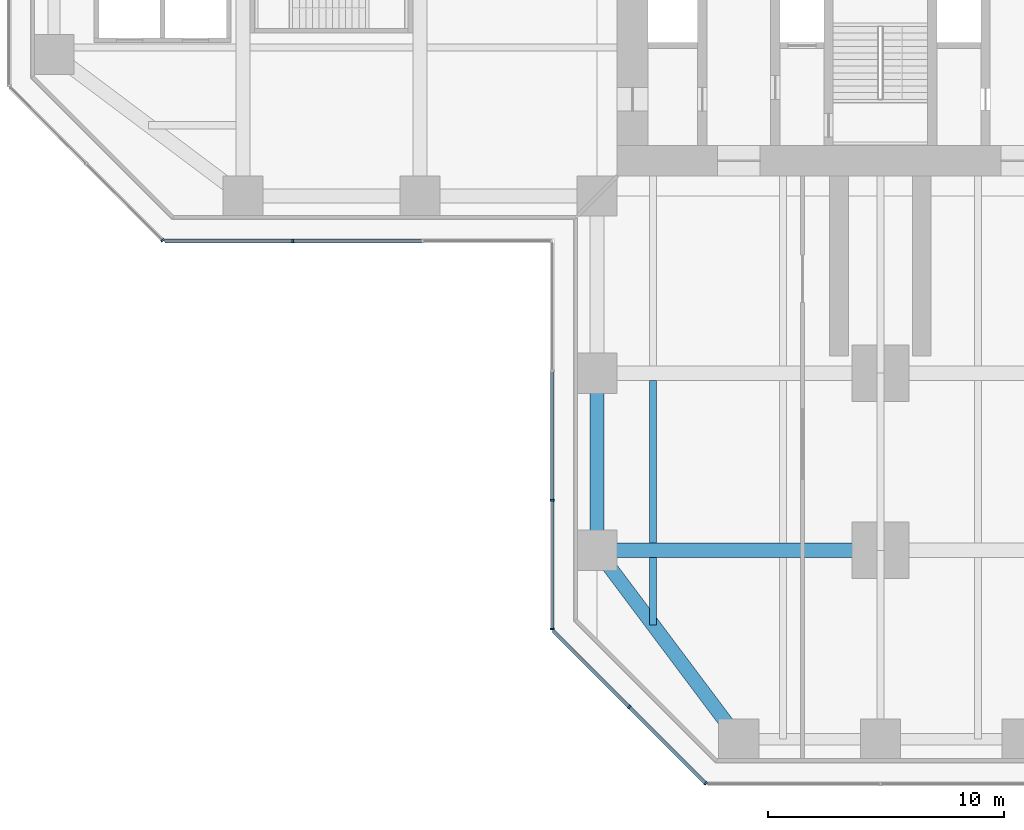
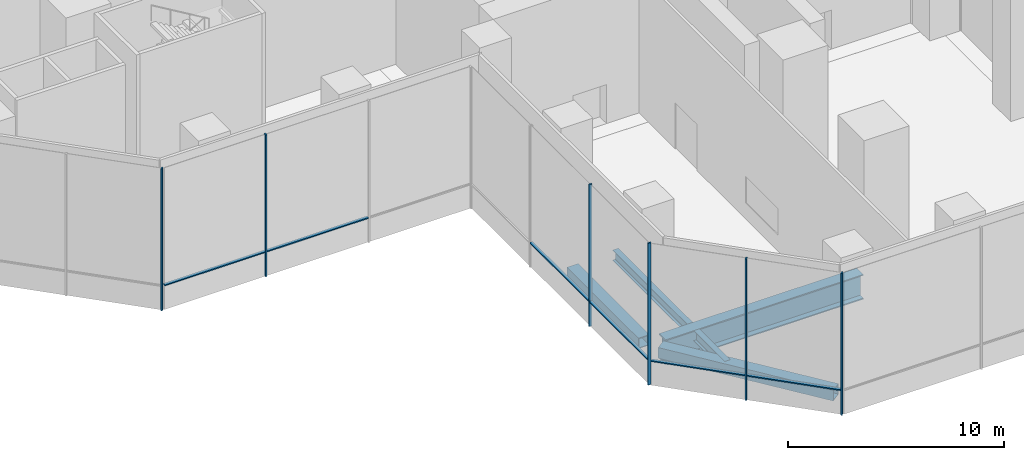
# One storey, part 2 of 25: 12 members, 5 beams, 4 elements without a shape of their own.
"""IFC4 building model written with IfcOpenShell, lengths in metres."""

from ifc_helpers import new_model, si_unit, direction, frame, origin, origin_2d, place, context, subcontext, project, spatial, rectangle, hollow_rectangle, i_section, extrude, material, material_profile, profile_set, type_object, element, aggregate, save


model = new_model("IFC4")

# Units and contexts
model_context = context("Model", 3, precision=1e-05, world=origin(), true_north=direction((0.0, 1.0)))
body_context = subcontext(model_context, "Body", "Model", "MODEL_VIEW")
ifc_project = project(units=[si_unit("LENGTHUNIT", "METRE"), si_unit("AREAUNIT", "SQUARE_METRE"), si_unit("VOLUMEUNIT", "CUBIC_METRE"), si_unit("PLANEANGLEUNIT", "RADIAN"), si_unit("MASSUNIT", "GRAM", prefix="KILO")], contexts=[model_context])

# Site, building, storey
site_placement = place(None, origin())
site = spatial("IfcSite", under=ifc_project, at=site_placement, CompositionType="ELEMENT")
building_placement = place(site_placement, origin())
building = spatial("IfcBuilding", under=site, at=building_placement, Name="Mizan Broadcast Tower", CompositionType="ELEMENT")
storey_placement = place(building_placement, frame((0.0, 0.0, 7.0)))
storey = spatial("IfcBuildingStorey", under=building, at=storey_placement, Name="L01", CompositionType="ELEMENT", Elevation=7.0)

# Beams
ifc_material_1 = material(Name="Steel S355", Category="steel")
ifc_material_profile_1 = material_profile(ifc_material_1, hollow_rectangle(XDim=0.60009765625, YDim=0.60009765625, WallThickness=0.030029296875, at=origin_2d()), Name="BOX 600x600x30")
ifc_profile_set_1 = profile_set([ifc_material_profile_1], Name="Steel S355")
beam_type_1 = type_object("IfcBeamType", Name="EDGE BEAM BOX 600x600x30", PredefinedType="SPANDREL", material=ifc_profile_set_1)
beam_1_placement = place(storey_placement, frame((-11.639892578125, -27.47998046875, -0.550048828125), z_axis=(0.599982243973, -0.800013316712, 0.0), x_axis=(0.800013316712, 0.599982243973, 0.0)))
element("IfcBeam", 1, at=beam_1_placement, inside=storey, type_object=beam_type_1, Name="Edge beam BOX 600x600x30 L01 south arm", PredefinedType="SPANDREL", context=body_context, shape_type="SweptSolid", body=[
    extrude(hollow_rectangle(XDim=0.60009765625, YDim=0.60009765625, WallThickness=0.030029296875, at=origin_2d()), origin(), (0.0, 0.0, 1.0), 8.7998046875),
])
ifc_material_2 = material(Name="Steel S355", Category="steel")
ifc_material_profile_2 = material_profile(ifc_material_2, hollow_rectangle(XDim=0.60009765625, YDim=0.60009765625, WallThickness=0.0400390625, at=origin_2d()), Name="BOX 600x600x40")
ifc_profile_set_2 = profile_set([ifc_material_profile_2], Name="Steel S355")
beam_type_2 = type_object("IfcBeamType", Name="EDGE BEAM BOX 600x600x40", PredefinedType="SPANDREL", material=ifc_profile_set_2)
beam_2_placement = place(storey_placement, frame((-12.0, -19.949951171875, -0.550048828125), z_axis=(0.0, -1.0, 0.0), x_axis=(1.0, 0.0, 0.0)))
element("IfcBeam", 2, at=beam_2_placement, inside=storey, type_object=beam_type_2, Name="Edge beam BOX 600x600x40 L01 south arm", PredefinedType="SPANDREL", context=body_context, shape_type="SweptSolid", body=[
    extrude(hollow_rectangle(XDim=0.60009765625, YDim=0.60009765625, WallThickness=0.0400390625, at=origin_2d()), origin(), (0.0, 0.0, 1.0), 6.60009765625),
])
ifc_material_3 = material(Name="Steel S460", Category="steel")
ifc_material_profile_3 = material_profile(ifc_material_3, i_section(OverallWidth=0.60009765625, OverallDepth=1.39990234375, WebThickness=0.02490234375, FlangeThickness=0.06005859375, at=origin_2d()), Name="WPG 1400x600")
ifc_profile_set_3 = profile_set([ifc_material_profile_3], Name="Steel S460")
beam_type_3 = type_object("IfcBeamType", Name="GIRDER WPG 1400x600", PredefinedType="BEAM", material=ifc_profile_set_3)
beam_3_placement = place(storey_placement, frame((-11.280029296875, -27.0, -0.949951171875), z_axis=(1.0, 0.0, 0.0), x_axis=(0.0, 1.0, 0.0)))
element("IfcBeam", 3, at=beam_3_placement, inside=storey, type_object=beam_type_3, Name="Girder WPG 1400x600 L01 south arm", PredefinedType="BEAM", context=body_context, shape_type="SweptSolid", body=[
    extrude(i_section(OverallWidth=0.60009765625, OverallDepth=1.39990234375, WebThickness=0.02490234375, FlangeThickness=0.06005859375, at=origin_2d()), origin(), (0.0, 0.0, 1.0), 10.56005859375),
])

# Curtain wall, member
ifc_material_4 = material(Name="Aluminium framed glazing", Category="aluminium")
curtain_wall_type = type_object("IfcCurtainWallType", Name="OUTER SKIN", PredefinedType="USERDEFINED", material=ifc_material_4)
curtain_wall_1_placement = place(storey_placement, origin())
curtain_wall_1 = element("IfcCurtainWall", 4, at=curtain_wall_1_placement, inside=storey, type_object=curtain_wall_type, Name="Outer skin L01 W chamfer", ObjectType="OUTER SKIN", PredefinedType="USERDEFINED")
ifc_material_5 = material(Name="Aluminium, pale anodised", Category="aluminium")
ifc_material_profile_4 = material_profile(ifc_material_5, rectangle(XDim=0.159912109375, YDim=0.080078125, at=origin_2d()), Name="MULLION 160x80")
ifc_profile_set_4 = profile_set([ifc_material_profile_4], Name="Aluminium, pale anodised")
member_type_1 = type_object("IfcMemberType", Name="OUTER SKIN MULLION 80x160", PredefinedType="MULLION", material=ifc_profile_set_4)
member_1_placement = place(storey_placement, frame((-30.401123046875, -13.871826171875, 0.0), z_axis=(0.0, 0.0, 1.0), x_axis=(0.707106781187, 0.707106781187, 0.0)))
member_1 = element("IfcMember", 5, at=member_1_placement, type_object=member_type_1, Name="Outer skin L01 W chamfer mullion 3", PredefinedType="MULLION", context=body_context, shape_type="SweptSolid", body=[
    extrude(rectangle(XDim=0.159912109375, YDim=0.080078125, at=origin_2d()), origin(), (0.0, 0.0, 1.0), 8.0),
])
aggregate(curtain_wall_1, [member_1])

curtain_wall_2_placement = place(storey_placement, origin())
curtain_wall_2 = element("IfcCurtainWall", 6, at=curtain_wall_2_placement, inside=storey, type_object=curtain_wall_type, Name="Outer skin L01 W side", ObjectType="OUTER SKIN", PredefinedType="USERDEFINED")
member_2_placement = place(storey_placement, frame((-24.8818359375, -13.89990234375, 0.0), z_axis=(0.0, 0.0, 1.0), x_axis=(0.0, 1.0, 0.0)))
member_2 = element("IfcMember", 7, at=member_2_placement, type_object=member_type_1, Name="Outer skin L01 W side mullion 2", PredefinedType="MULLION", context=body_context, shape_type="SweptSolid", body=[
    extrude(rectangle(XDim=0.159912109375, YDim=0.080078125, at=origin_2d()), origin(), (0.0, 0.0, 1.0), 8.0),
])

# Curtain wall, members
curtain_wall_3_placement = place(storey_placement, origin())
curtain_wall_3 = element("IfcCurtainWall", 8, at=curtain_wall_3_placement, inside=storey, type_object=curtain_wall_type, Name="Outer skin L01 S side", ObjectType="OUTER SKIN", PredefinedType="USERDEFINED")
member_3_placement = place(storey_placement, frame((-13.89990234375, -24.8818359375, 0.0), z_axis=(0.0, 0.0, 1.0), x_axis=(1.0, 0.0, 0.0)))
member_3 = element("IfcMember", 9, at=member_3_placement, type_object=member_type_1, Name="Outer skin L01 S side mullion 3", PredefinedType="MULLION", context=body_context, shape_type="SweptSolid", body=[
    extrude(rectangle(XDim=0.159912109375, YDim=0.080078125, at=origin_2d()), origin(), (0.0, 0.0, 1.0), 8.0),
])
member_4_placement = place(storey_placement, frame((-13.89990234375, -30.332763671875, 0.0), z_axis=(0.0, 0.0, 1.0), x_axis=(1.0, 0.0, 0.0)))
member_4 = element("IfcMember", 10, at=member_4_placement, type_object=member_type_1, Name="Outer skin L01 S side mullion 4", PredefinedType="MULLION", context=body_context, shape_type="SweptSolid", body=[
    extrude(rectangle(XDim=0.159912109375, YDim=0.080078125, at=origin_2d()), origin(), (0.0, 0.0, 1.0), 8.0),
])

curtain_wall_4_placement = place(storey_placement, origin())
curtain_wall_4 = element("IfcCurtainWall", 11, at=curtain_wall_4_placement, inside=storey, type_object=curtain_wall_type, Name="Outer skin L01 S chamfer", ObjectType="OUTER SKIN", PredefinedType="USERDEFINED")
member_5_placement = place(storey_placement, frame((-10.636474609375, -33.636474609375, 0.0), z_axis=(0.0, 0.0, 1.0), x_axis=(0.707106781187, 0.707106781187, 0.0)))
member_5 = element("IfcMember", 12, at=member_5_placement, type_object=member_type_1, Name="Outer skin L01 S chamfer mullion 2", PredefinedType="MULLION", context=body_context, shape_type="SweptSolid", body=[
    extrude(rectangle(XDim=0.159912109375, YDim=0.080078125, at=origin_2d()), origin(), (0.0, 0.0, 1.0), 8.0),
])
member_6_placement = place(storey_placement, frame((-7.401123046875, -36.871826171875, 0.0), z_axis=(0.0, 0.0, 1.0), x_axis=(0.707106781187, 0.707106781187, 0.0)))
member_6 = element("IfcMember", 13, at=member_6_placement, type_object=member_type_1, Name="Outer skin L01 S chamfer mullion 3", PredefinedType="MULLION", context=body_context, shape_type="SweptSolid", body=[
    extrude(rectangle(XDim=0.159912109375, YDim=0.080078125, at=origin_2d()), origin(), (0.0, 0.0, 1.0), 8.0),
])

# Member
ifc_material_6 = material(Name="Aluminium, pale anodised", Category="aluminium")
ifc_material_profile_5 = material_profile(ifc_material_6, rectangle(XDim=0.159912109375, YDim=0.06005859375, at=origin_2d()), Name="TRANSOM 160x60")
ifc_profile_set_5 = profile_set([ifc_material_profile_5], Name="Aluminium, pale anodised")
member_type_2 = type_object("IfcMemberType", Name="OUTER SKIN TRANSOM 60x160", PredefinedType="USERDEFINED", material=ifc_profile_set_5)
member_7_placement = place(storey_placement, frame((-30.292724609375, -13.89990234375, 1.39990234375), z_axis=(1.0, 0.0, 0.0), x_axis=(0.0, 1.0, 0.0)))
member_7 = element("IfcMember", 14, at=member_7_placement, type_object=member_type_2, Name="Outer skin L01 W side transom 1.1", ObjectType="TRANSOM", PredefinedType="USERDEFINED", context=body_context, shape_type="SweptSolid", body=[
    extrude(rectangle(XDim=0.159912109375, YDim=0.06005859375, at=origin_2d()), origin(), (0.0, 0.0, 1.0), 5.370849609375),
])

member_8_placement = place(storey_placement, frame((-24.841796875, -13.89990234375, 1.39990234375), z_axis=(1.0, 0.0, 0.0), x_axis=(0.0, 1.0, 0.0)))
member_8 = element("IfcMember", 15, at=member_8_placement, type_object=member_type_2, Name="Outer skin L01 W side transom 2.1", ObjectType="TRANSOM", PredefinedType="USERDEFINED", context=body_context, shape_type="SweptSolid", body=[
    extrude(rectangle(XDim=0.159912109375, YDim=0.06005859375, at=origin_2d()), origin(), (0.0, 0.0, 1.0), 5.410888671875),
])

aggregate(curtain_wall_2, [member_2, member_7, member_8])

member_9_placement = place(storey_placement, frame((-13.89990234375, -19.430908203125, 1.39990234375), z_axis=(0.0, -1.0, 0.0), x_axis=(1.0, 0.0, 0.0)))
member_9 = element("IfcMember", 16, at=member_9_placement, type_object=member_type_2, Name="Outer skin L01 S side transom 2.1", ObjectType="TRANSOM", PredefinedType="USERDEFINED", context=body_context, shape_type="SweptSolid", body=[
    extrude(rectangle(XDim=0.159912109375, YDim=0.06005859375, at=origin_2d()), origin(), (0.0, 0.0, 1.0), 5.410888671875),
])

member_10_placement = place(storey_placement, frame((-13.89990234375, -24.921875, 1.39990234375), z_axis=(0.0, -1.0, 0.0), x_axis=(1.0, 0.0, 0.0)))
member_10 = element("IfcMember", 17, at=member_10_placement, type_object=member_type_2, Name="Outer skin L01 S side transom 3.1", ObjectType="TRANSOM", PredefinedType="USERDEFINED", context=body_context, shape_type="SweptSolid", body=[
    extrude(rectangle(XDim=0.159912109375, YDim=0.06005859375, at=origin_2d()), origin(), (0.0, 0.0, 1.0), 5.370849609375),
])

aggregate(curtain_wall_3, [member_3, member_4, member_9, member_10])

member_11_placement = place(storey_placement, frame((-13.843505859375, -30.429443359375, 1.39990234375), z_axis=(0.707106781187, -0.707106781187, 0.0), x_axis=(0.707106781187, 0.707106781187, 0.0)))
member_11 = element("IfcMember", 18, at=member_11_placement, type_object=member_type_2, Name="Outer skin L01 S chamfer transom 1.1", ObjectType="TRANSOM", PredefinedType="USERDEFINED", context=body_context, shape_type="SweptSolid", body=[
    extrude(rectangle(XDim=0.159912109375, YDim=0.06005859375, at=origin_2d()), origin(), (0.0, 0.0, 1.0), 4.495361328125),
])

member_12_placement = place(storey_placement, frame((-10.608154296875, -33.664794921875, 1.39990234375), z_axis=(0.707106781187, -0.707106781187, 0.0), x_axis=(0.707106781187, 0.707106781187, 0.0)))
member_12 = element("IfcMember", 19, at=member_12_placement, type_object=member_type_2, Name="Outer skin L01 S chamfer transom 2.1", ObjectType="TRANSOM", PredefinedType="USERDEFINED", context=body_context, shape_type="SweptSolid", body=[
    extrude(rectangle(XDim=0.159912109375, YDim=0.06005859375, at=origin_2d()), origin(), (0.0, 0.0, 1.0), 4.495361328125),
])

aggregate(curtain_wall_4, [member_5, member_6, member_11, member_12])

# Beams
ifc_material_7 = material(Name="Steel S355", Category="steel")
ifc_material_profile_6 = material_profile(ifc_material_7, i_section(OverallWidth=0.300048828125, OverallDepth=0.590087890625, WebThickness=0.012939453125, FlangeThickness=0.02490234375, FilletRadius=0.027099609375, at=origin_2d()), Name="HEA 600")
ifc_profile_set_6 = profile_set([ifc_material_profile_6], Name="Steel S355")
beam_type_4 = type_object("IfcBeamType", Name="SECONDARY BEAM HEA 600", PredefinedType="JOIST", material=ifc_profile_set_6)
beam_4_placement = place(storey_placement, frame((-9.625, -19.800048828125, -0.544921875), z_axis=(0.0, -1.0, 0.0), x_axis=(1.0, 0.0, 0.0)))
element("IfcBeam", 20, at=beam_4_placement, inside=storey, type_object=beam_type_4, Name="Secondary beam HEA 600 L01 south arm", PredefinedType="JOIST", context=body_context, shape_type="SweptSolid", body=[
    extrude(i_section(OverallWidth=0.300048828125, OverallDepth=0.590087890625, WebThickness=0.012939453125, FlangeThickness=0.02490234375, FilletRadius=0.027099609375, at=origin_2d()), origin(), (0.0, 0.0, 1.0), 6.89990234375),
])
beam_5_placement = place(storey_placement, frame((-9.625, -27.300048828125, -0.544921875), z_axis=(0.0, -1.0, 0.0), x_axis=(1.0, 0.0, 0.0)))
element("IfcBeam", 21, at=beam_5_placement, inside=storey, type_object=beam_type_4, Name="Secondary beam HEA 600 L01 south arm", PredefinedType="JOIST", context=body_context, shape_type="SweptSolid", body=[
    extrude(i_section(OverallWidth=0.300048828125, OverallDepth=0.590087890625, WebThickness=0.012939453125, FlangeThickness=0.02490234375, FilletRadius=0.027099609375, at=origin_2d()), origin(), (0.0, 0.0, 1.0), 2.86669921875),
])

save(model, "model.ifc")
